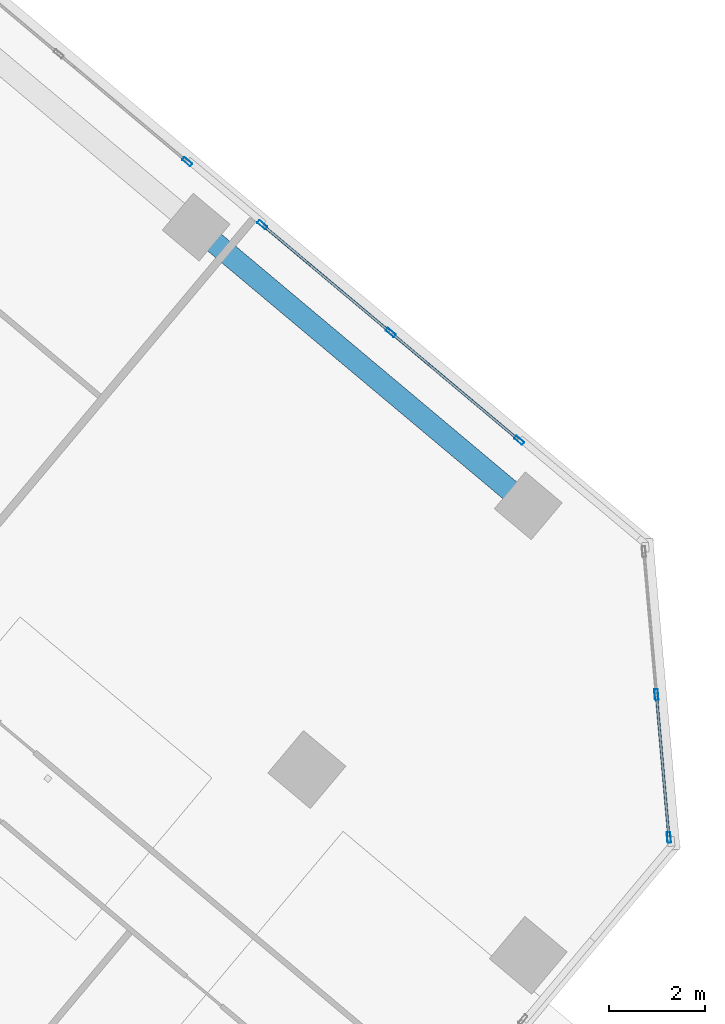
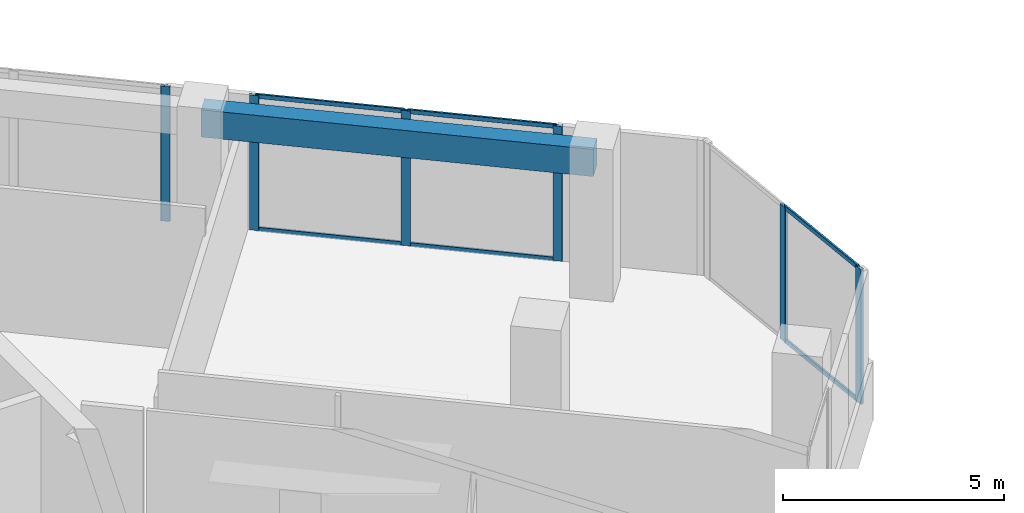
# One storey, part 7 of 17: 12 members, 1 beam, 3 elements without a shape of their own.
"""IFC4 building model written with IfcOpenShell, lengths in metres."""

from ifc_helpers import new_model, si_unit, direction, frame, origin, origin_2d, place, context, subcontext, project, spatial, rectangle, hollow_rectangle, extrude, source, transform, mapped, material, material_profile, profile_set, type_object, element, aggregate, save


model = new_model("IFC4")

# Units and contexts
model_context = context("Model", 3, precision=1e-05, world=origin(), true_north=direction((0.0, 1.0)))
body_context = subcontext(model_context, "Body", "Model", "MODEL_VIEW")
ifc_project = project(units=[si_unit("LENGTHUNIT", "METRE"), si_unit("AREAUNIT", "SQUARE_METRE"), si_unit("VOLUMEUNIT", "CUBIC_METRE"), si_unit("PLANEANGLEUNIT", "RADIAN"), si_unit("MASSUNIT", "GRAM", prefix="KILO")], contexts=[model_context])

# Site, building, storey
site_placement = place(None, origin())
site = spatial("IfcSite", under=ifc_project, at=site_placement, CompositionType="ELEMENT")
building_placement = place(site_placement, origin())
building = spatial("IfcBuilding", under=site, at=building_placement, Name="Torre Montelarca", CompositionType="ELEMENT")
storey_placement = place(building_placement, frame((0.0, 0.0, 220.60009765625)))
storey = spatial("IfcBuildingStorey", under=building, at=storey_placement, Name="L49", CompositionType="ELEMENT", Elevation=220.60009765625)

# Beam
ifc_material_1 = material(Name="Concrete C55/67", Category="concrete")
ifc_material_profile_1 = material_profile(ifc_material_1, rectangle(XDim=0.449951171875, YDim=0.75, at=origin_2d()), Name="RCB450X750", Category="concrete")
ifc_profile_set_1 = profile_set([ifc_material_profile_1], Name="Concrete C55/67")
beam_type = type_object("IfcBeamType", Name="BM-SP-RC750-EXT", PredefinedType="SPANDREL", material=ifc_profile_set_1)
shared_shape_1 = source(origin(), body_context, "Body", "SweptSolid", [
    extrude(rectangle(XDim=0.449951171875, YDim=0.75, at=origin_2d()), origin(), (0.0, 0.0, 1.0), 9.000244140625),
])
beam_placement = place(storey_placement, frame((35.451416015625, 40.0703125, 3.5849609375), z_axis=(0.766046761698, -0.642784846501, 0.0), x_axis=(0.642784846501, 0.766046761698, 0.0)))
element("IfcBeam", 1, at=beam_placement, inside=storey, type_object=beam_type, Name="L49 Grid Girder X 27.0-36.0 at Y=47.1", PredefinedType="SPANDREL", context=body_context, shape_type="MappedRepresentation", body=[
    mapped(shared_shape_1, transform((0.0, 0.0, 0.0), scale=1.0)),
])

# Curtain wall, members
ifc_material_2 = material(Name="Insulated low-E laminated glass", Category="glass")
curtain_wall_type = type_object("IfcCurtainWallType", Name="CW-SYS-Z3", PredefinedType="USERDEFINED", material=ifc_material_2)
curtain_wall_1_placement = place(storey_placement, origin())
curtain_wall_1 = element("IfcCurtainWall", 2, at=curtain_wall_1_placement, inside=storey, type_object=curtain_wall_type, Name="L49 Curtain Wall Run CW-T3-L49-E08-B1", ObjectType="UNITISED GLAZING", PredefinedType="USERDEFINED")
ifc_material_3 = material(Name="Anodised aluminium AA 6063-T6", Category="aluminium")
ifc_material_profile_2 = material_profile(ifc_material_3, hollow_rectangle(XDim=0.054931640625, YDim=0.1201171875, WallThickness=0.00341796875, InnerFilletRadius=0.00341796875, OuterFilletRadius=0.007080078125, at=origin_2d()), Name="ALU55X120X3.5", Category="aluminium")
ifc_profile_set_2 = profile_set([ifc_material_profile_2], Name="Anodised aluminium AA 6063-T6")
member_type_1 = type_object("IfcMemberType", Name="CWT-ALU120", PredefinedType="USERDEFINED", material=ifc_profile_set_2)
shared_shape_2 = source(origin(), body_context, "Body", "SweptSolid", [
    extrude(hollow_rectangle(XDim=0.054931640625, YDim=0.1201171875, WallThickness=0.00341796875, InnerFilletRadius=0.00341796875, OuterFilletRadius=0.007080078125, at=origin_2d()), origin(), (0.0, 0.0, 1.0), 3.40771484375),
])
member_1_placement = place(storey_placement, frame((42.129150390625, 35.66796875, 0.02734375), z_axis=(-0.766032210407, 0.642802187783, 0.0), x_axis=(-0.642802187783, -0.766032210407, 0.0)))
member_1 = element("IfcMember", 3, at=member_1_placement, type_object=member_type_1, Name="CW transom 1.1", ObjectType="TRANSOM", PredefinedType="USERDEFINED", context=body_context, shape_type="MappedRepresentation", body=[
    mapped(shared_shape_2, transform((0.0, 0.0, 0.0), scale=1.0)),
])
member_2_placement = place(storey_placement, frame((42.129150390625, 35.66796875, 3.6923828125), z_axis=(-0.766032210407, 0.642802187783, 0.0), x_axis=(-0.642802187783, -0.766032210407, 0.0)))
member_2 = element("IfcMember", 4, at=member_2_placement, type_object=member_type_1, Name="CW transom 1.2", ObjectType="TRANSOM", PredefinedType="USERDEFINED", context=body_context, shape_type="MappedRepresentation", body=[
    mapped(shared_shape_2, transform((0.0, 0.0, 0.0), scale=1.0)),
])

curtain_wall_2_placement = place(storey_placement, origin())
curtain_wall_2 = element("IfcCurtainWall", 5, at=curtain_wall_2_placement, inside=storey, type_object=curtain_wall_type, Name="L49 Curtain Wall Run CW-T3-L49-E07-B1", ObjectType="UNITISED GLAZING", PredefinedType="USERDEFINED")
shared_shape_3 = source(origin(), body_context, "Body", "SweptSolid", [
    extrude(hollow_rectangle(XDim=0.054931640625, YDim=0.1201171875, WallThickness=0.00341796875, InnerFilletRadius=0.00341796875, OuterFilletRadius=0.007080078125, at=origin_2d()), origin(), (0.0, 0.0, 1.0), 2.9033203125),
])
member_3_placement = place(storey_placement, frame((45.263671875, 27.435791015625, 0.02734375), z_axis=(-0.08719928677, 0.996190887524, 0.0), x_axis=(-0.996190887524, -0.08719928677, 0.0)))
member_3 = element("IfcMember", 6, at=member_3_placement, type_object=member_type_1, Name="CW transom 1.1", ObjectType="TRANSOM", PredefinedType="USERDEFINED", context=body_context, shape_type="MappedRepresentation", body=[
    mapped(shared_shape_3, transform((0.0, 0.0, 0.0), scale=1.0)),
])
member_4_placement = place(storey_placement, frame((45.263671875, 27.435791015625, 3.6923828125), z_axis=(-0.08719928677, 0.996190887524, 0.0), x_axis=(-0.996190887524, -0.08719928677, 0.0)))
member_4 = element("IfcMember", 7, at=member_4_placement, type_object=member_type_1, Name="CW transom 1.2", ObjectType="TRANSOM", PredefinedType="USERDEFINED", context=body_context, shape_type="MappedRepresentation", body=[
    mapped(shared_shape_3, transform((0.0, 0.0, 0.0), scale=1.0)),
])

# Member
shared_shape_4 = source(origin(), body_context, "Body", "SweptSolid", [
    extrude(hollow_rectangle(XDim=0.054931640625, YDim=0.1201171875, WallThickness=0.00341796875, InnerFilletRadius=0.00341796875, OuterFilletRadius=0.007080078125, at=origin_2d()), origin(), (0.0, 0.0, 1.0), 3.407470703125),
])
member_5_placement = place(storey_placement, frame((39.46142578125, 37.906494140625, 0.02734375), z_axis=(-0.766067489569, 0.642760142997, 0.0), x_axis=(-0.642760142997, -0.766067489569, 0.0)))
member_5 = element("IfcMember", 8, at=member_5_placement, type_object=member_type_1, Name="CW transom 2.1", ObjectType="TRANSOM", PredefinedType="USERDEFINED", context=body_context, shape_type="MappedRepresentation", body=[
    mapped(shared_shape_4, transform((0.0, 0.0, 0.0), scale=1.0)),
])

member_6_placement = place(storey_placement, frame((39.46142578125, 37.906494140625, 3.6923828125), z_axis=(-0.766067489569, 0.642760142997, 0.0), x_axis=(-0.642760142997, -0.766067489569, 0.0)))
member_6 = element("IfcMember", 9, at=member_6_placement, type_object=member_type_1, Name="CW transom 2.2", ObjectType="TRANSOM", PredefinedType="USERDEFINED", context=body_context, shape_type="MappedRepresentation", body=[
    mapped(shared_shape_4, transform((0.0, 0.0, 0.0), scale=1.0)),
])

ifc_material_profile_3 = material_profile(ifc_material_3, hollow_rectangle(XDim=0.074951171875, YDim=0.219970703125, WallThickness=0.0048828125, InnerFilletRadius=0.0048828125, OuterFilletRadius=0.010009765625, at=origin_2d()), Name="ALU75X220X5", Category="aluminium")
ifc_profile_set_3 = profile_set([ifc_material_profile_3], Name="Anodised aluminium AA 6063-T6")
member_type_2 = type_object("IfcMemberType", Name="CWM-ALU220", PredefinedType="MULLION", material=ifc_profile_set_3)
shared_shape_5 = source(origin(), body_context, "Body", "SweptSolid", [
    extrude(hollow_rectangle(XDim=0.074951171875, YDim=0.219970703125, WallThickness=0.0048828125, InnerFilletRadius=0.0048828125, OuterFilletRadius=0.010009765625, at=origin_2d()), origin(), (0.0, 0.0, 1.0), 3.719970703125),
])
member_7_placement = place(storey_placement, frame((45.266845703125, 27.3984375, 0.0), z_axis=(0.0, 0.0, 1.0), x_axis=(-0.996192349816, -0.087182579501, 0.0)))
member_7 = element("IfcMember", 10, at=member_7_placement, type_object=member_type_2, Name="CW mullion 1", PredefinedType="MULLION", context=body_context, shape_type="MappedRepresentation", body=[
    mapped(shared_shape_5, transform((0.0, 0.0, 0.0), scale=1.0)),
])

member_8_placement = place(storey_placement, frame((45.007080078125, 30.365478515625, 0.0), z_axis=(0.0, 0.0, 1.0), x_axis=(-0.996192349816, -0.087182579501, 0.0)))
member_8 = element("IfcMember", 11, at=member_8_placement, type_object=member_type_2, Name="CW mullion 2", PredefinedType="MULLION", context=body_context, shape_type="MappedRepresentation", body=[
    mapped(shared_shape_5, transform((0.0, 0.0, 0.0), scale=1.0)),
])

aggregate(curtain_wall_2, [member_7, member_8, member_3, member_4])

member_9_placement = place(storey_placement, frame((42.15771484375, 35.643798828125, 0.0), z_axis=(0.0, 0.0, 1.0), x_axis=(-0.642789243392, -0.766043072274, 0.0)))
member_9 = element("IfcMember", 12, at=member_9_placement, type_object=member_type_2, Name="CW mullion 1", PredefinedType="MULLION", context=body_context, shape_type="MappedRepresentation", body=[
    mapped(shared_shape_5, transform((0.0, 0.0, 0.0), scale=1.0)),
])

member_10_placement = place(storey_placement, frame((39.489990234375, 37.88232421875, 0.0), z_axis=(0.0, 0.0, 1.0), x_axis=(-0.642789243392, -0.766043072274, 0.0)))
member_10 = element("IfcMember", 13, at=member_10_placement, type_object=member_type_2, Name="CW mullion 2", PredefinedType="MULLION", context=body_context, shape_type="MappedRepresentation", body=[
    mapped(shared_shape_5, transform((0.0, 0.0, 0.0), scale=1.0)),
])

member_11_placement = place(storey_placement, frame((36.822265625, 40.120849609375, 0.0), z_axis=(0.0, 0.0, 1.0), x_axis=(-0.642789243392, -0.766043072274, 0.0)))
member_11 = element("IfcMember", 14, at=member_11_placement, type_object=member_type_2, Name="CW mullion 3", PredefinedType="MULLION", context=body_context, shape_type="MappedRepresentation", body=[
    mapped(shared_shape_5, transform((0.0, 0.0, 0.0), scale=1.0)),
])

aggregate(curtain_wall_1, [member_9, member_10, member_11, member_1, member_2, member_5, member_6])

# Curtain wall, member
curtain_wall_3_placement = place(storey_placement, origin())
curtain_wall_3 = element("IfcCurtainWall", 15, at=curtain_wall_3_placement, inside=storey, type_object=curtain_wall_type, Name="L49 Curtain Wall Run CW-T3-L49-E08-B2", ObjectType="UNITISED GLAZING", PredefinedType="USERDEFINED")
member_12_placement = place(storey_placement, frame((35.263427734375, 41.428955078125, 0.0), z_axis=(0.0, 0.0, 1.0), x_axis=(-0.642789243392, -0.766043072274, 0.0)))
member_12 = element("IfcMember", 16, at=member_12_placement, type_object=member_type_2, Name="CW mullion 1", PredefinedType="MULLION", context=body_context, shape_type="MappedRepresentation", body=[
    mapped(shared_shape_5, transform((0.0, 0.0, 0.0), scale=1.0)),
])
aggregate(curtain_wall_3, [member_12])

save(model, "model.ifc")
